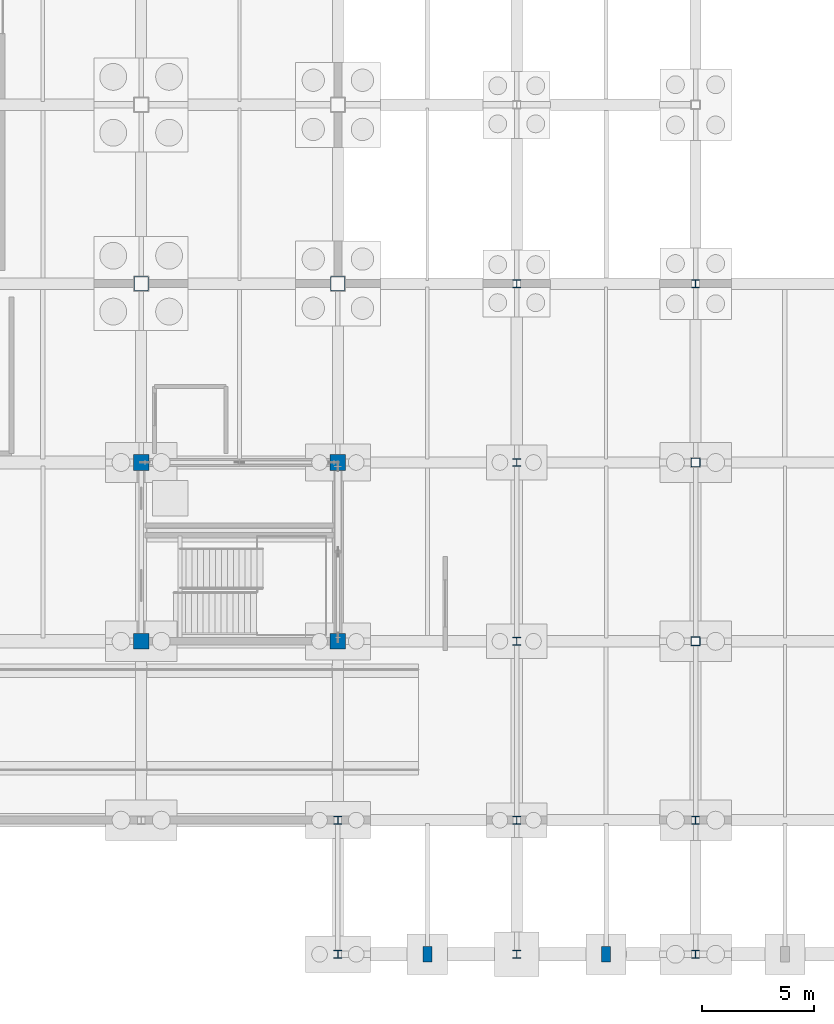
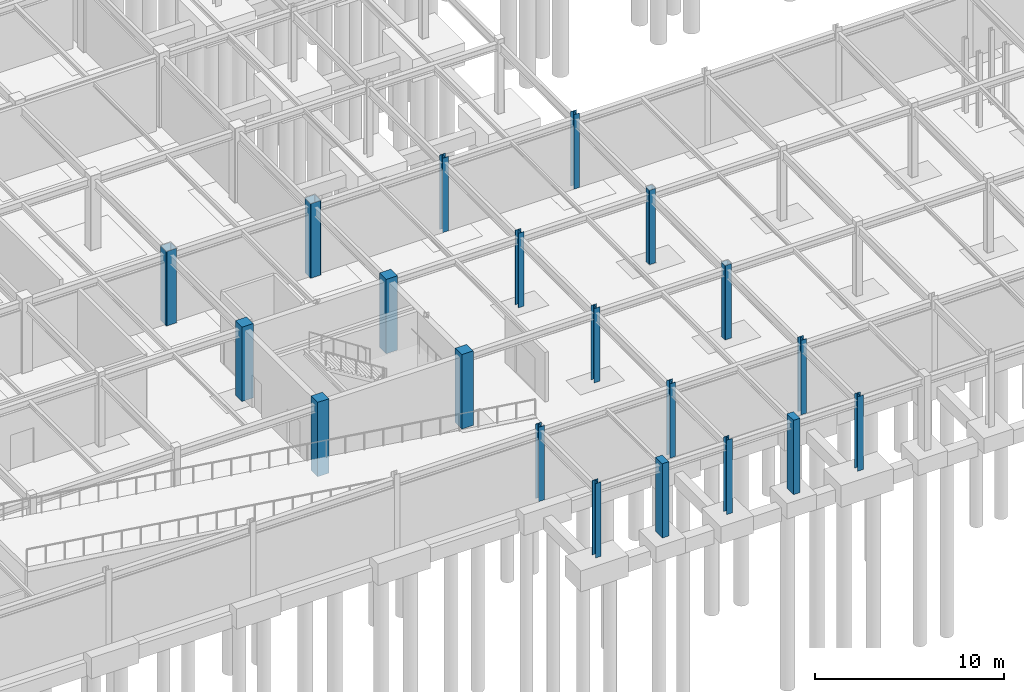
# One storey, part 13 of 72: 20 columns.
"""IFC4 building model written with IfcOpenShell, lengths in metres."""

from ifc_helpers import new_model, si_unit, direction, frame, origin, origin_2d, place, context, subcontext, project, spatial, rectangle, hollow_rectangle, i_section, extrude, material, material_profile, profile_set, type_object, element, save


model = new_model("IFC4")

# Units and contexts
model_context = context("Model", 3, precision=1e-05, world=origin(), true_north=direction((0.0, 1.0)))
body_context = subcontext(model_context, "Body", "Model", "MODEL_VIEW")
ifc_project = project(units=[si_unit("LENGTHUNIT", "METRE"), si_unit("AREAUNIT", "SQUARE_METRE"), si_unit("VOLUMEUNIT", "CUBIC_METRE"), si_unit("PLANEANGLEUNIT", "RADIAN"), si_unit("MASSUNIT", "GRAM", prefix="KILO")], contexts=[model_context])

# Site, building, storey
site_placement = place(None, origin())
site = spatial("IfcSite", under=ifc_project, at=site_placement, CompositionType="ELEMENT")
building_placement = place(site_placement, origin())
building = spatial("IfcBuilding", under=site, at=building_placement, Name="Zhaolan Boulevard Law Courts", CompositionType="ELEMENT")
storey_placement = place(building_placement, frame((0.0, 0.0, -4.800048828125)))
storey = spatial("IfcBuildingStorey", under=building, at=storey_placement, Name="B1", CompositionType="ELEMENT", Elevation=-4.800048828125)

# Columns
ifc_material_1 = material(Name="Structural steel Q355B", Category="steel")
ifc_material_profile_1 = material_profile(ifc_material_1, hollow_rectangle(XDim=0.39990234375, YDim=0.39990234375, WallThickness=0.01611328125, InnerFilletRadius=0.01611328125, OuterFilletRadius=0.031982421875, at=origin_2d()), Name="BOX400x400x16")
ifc_profile_set_1 = profile_set([ifc_material_profile_1], Name="Structural steel Q355B")
column_type_1 = type_object("IfcColumnType", Name="COL BOX400", PredefinedType="COLUMN", material=ifc_profile_set_1)
for number, where, z_axis, x_axis, name in (
    (1, (60.0, 14.0, 0.0), (0.0, 0.0, 1.0), (1.0, 0.0, 0.0), "Column C-8C (B1)"),
    (2, (60.0, 22.0, 0.0), (0.0, 0.0, 1.0), (1.0, 0.0, 0.0), "Column C-8D (B1)"),
):
    element("IfcColumn", number, at=place(storey_placement, frame(where, z_axis=z_axis, x_axis=x_axis)), inside=storey, type_object=column_type_1, Name=name, PredefinedType="COLUMN", context=body_context, shape_type="SweptSolid", body=[
        extrude(hollow_rectangle(XDim=0.39990234375, YDim=0.39990234375, WallThickness=0.01611328125, InnerFilletRadius=0.01611328125, OuterFilletRadius=0.031982421875, at=origin_2d()), origin(), (0.0, 0.0, 1.0), 4.800048828125),
    ])
ifc_material_2 = material(Name="Structural steel Q390B", Category="steel")
ifc_material_profile_2 = material_profile(ifc_material_2, hollow_rectangle(XDim=0.64990234375, YDim=0.64990234375, WallThickness=0.02587890625, InnerFilletRadius=0.02587890625, OuterFilletRadius=0.052001953125, at=origin_2d()), Name="BOX650x650x26")
ifc_profile_set_2 = profile_set([ifc_material_profile_2], Name="Structural steel Q390B")
column_type_2 = type_object("IfcColumnType", Name="COL BOX650", PredefinedType="COLUMN", material=ifc_profile_set_2)
for number, where, z_axis, x_axis, name in (
    (3, (35.199951171875, 30.0, 0.0), (0.0, 0.0, 1.0), (1.0, 0.0, 0.0), "Column C-5E (B1)"),
    (4, (44.0, 30.0, 0.0), (0.0, 0.0, 1.0), (1.0, 0.0, 0.0), "Column C-6E (B1)"),
):
    element("IfcColumn", number, at=place(storey_placement, frame(where, z_axis=z_axis, x_axis=x_axis)), inside=storey, type_object=column_type_2, Name=name, PredefinedType="COLUMN", context=body_context, shape_type="SweptSolid", body=[
        extrude(hollow_rectangle(XDim=0.64990234375, YDim=0.64990234375, WallThickness=0.02587890625, InnerFilletRadius=0.02587890625, OuterFilletRadius=0.052001953125, at=origin_2d()), origin(), (0.0, 0.0, 1.0), 4.800048828125),
    ])
ifc_material_3 = material(Name="Structural steel Q355B", Category="steel")
ifc_material_profile_3 = material_profile(ifc_material_3, i_section(OverallWidth=0.35009765625, OverallDepth=0.35009765625, WebThickness=0.011962890625, FlangeThickness=0.01904296875, FilletRadius=0.02001953125, at=origin_2d()), Name="HW350x350")
ifc_profile_set_3 = profile_set([ifc_material_profile_3], Name="Structural steel Q355B")
column_type_3 = type_object("IfcColumnType", Name="COL HW350", PredefinedType="COLUMN", material=ifc_profile_set_3)
for number, where, z_axis, x_axis, name in (
    (5, (44.0, 0.0, 0.0), (0.0, 0.0, 1.0), (1.0, 0.0, 0.0), "Column C-6A (B1)"),
    (6, (44.0, 6.0, 0.0), (0.0, 0.0, 1.0), (1.0, 0.0, 0.0), "Column C-6B (B1)"),
    (7, (52.0, 0.0, 0.0), (0.0, 0.0, 1.0), (1.0, 0.0, 0.0), "Column C-7A (B1)"),
    (8, (52.0, 6.0, 0.0), (0.0, 0.0, 1.0), (1.0, 0.0, 0.0), "Column C-7B (B1)"),
    (9, (52.0, 14.0, 0.0), (0.0, 0.0, 1.0), (1.0, 0.0, 0.0), "Column C-7C (B1)"),
    (10, (52.0, 22.0, 0.0), (0.0, 0.0, 1.0), (1.0, 0.0, 0.0), "Column C-7D (B1)"),
    (11, (52.0, 30.0, 0.0), (0.0, 0.0, 1.0), (1.0, 0.0, 0.0), "Column C-7E (B1)"),
    (12, (60.0, 0.0, 0.0), (0.0, 0.0, 1.0), (1.0, 0.0, 0.0), "Column C-8A (B1)"),
    (13, (60.0, 6.0, 0.0), (0.0, 0.0, 1.0), (1.0, 0.0, 0.0), "Column C-8B (B1)"),
    (14, (60.0, 30.0, 0.0), (0.0, 0.0, 1.0), (1.0, 0.0, 0.0), "Column C-8E (B1)"),
):
    element("IfcColumn", number, at=place(storey_placement, frame(where, z_axis=z_axis, x_axis=x_axis)), inside=storey, type_object=column_type_3, Name=name, PredefinedType="COLUMN", context=body_context, shape_type="SweptSolid", body=[
        extrude(i_section(OverallWidth=0.35009765625, OverallDepth=0.35009765625, WebThickness=0.011962890625, FlangeThickness=0.01904296875, FilletRadius=0.02001953125, at=origin_2d()), origin(), (0.0, 0.0, 1.0), 4.800048828125),
    ])
ifc_material_4 = material(Name="Concrete C50", Category="concrete")
ifc_material_profile_4 = material_profile(ifc_material_4, rectangle(XDim=0.699951171875, YDim=0.699951171875, at=origin_2d()), Name="RC700x700")
ifc_profile_set_4 = profile_set([ifc_material_profile_4], Name="Concrete C50")
column_type_4 = type_object("IfcColumnType", Name="COL RC700", PredefinedType="COLUMN", material=ifc_profile_set_4)
for number, where, z_axis, x_axis, name in (
    (15, (35.199951171875, 14.0, 0.0), (0.0, 0.0, 1.0), (1.0, 0.0, 0.0), "Column C-5C (B1)"),
    (16, (35.199951171875, 22.0, 0.0), (0.0, 0.0, 1.0), (1.0, 0.0, 0.0), "Column C-5D (B1)"),
    (17, (44.0, 14.0, 0.0), (0.0, 0.0, 1.0), (1.0, 0.0, 0.0), "Column C-6C (B1)"),
    (18, (44.0, 22.0, 0.0), (0.0, 0.0, 1.0), (1.0, 0.0, 0.0), "Column C-6D (B1)"),
):
    element("IfcColumn", number, at=place(storey_placement, frame(where, z_axis=z_axis, x_axis=x_axis)), inside=storey, type_object=column_type_4, Name=name, PredefinedType="COLUMN", context=body_context, shape_type="SweptSolid", body=[
        extrude(rectangle(XDim=0.699951171875, YDim=0.699951171875, at=origin_2d()), origin(), (0.0, 0.0, 1.0), 4.800048828125),
    ])
ifc_material_5 = material(Name="Concrete C40", Category="concrete")
ifc_material_profile_5 = material_profile(ifc_material_5, rectangle(XDim=0.39990234375, YDim=0.699951171875, at=origin_2d()), Name="RC400x700")
ifc_profile_set_5 = profile_set([ifc_material_profile_5], Name="Concrete C40")
column_type_5 = type_object("IfcColumnType", Name="PILASTER 400X700", PredefinedType="PILASTER", material=ifc_profile_set_5)
for number, where, z_axis, x_axis, name in (
    (19, (48.0, 0.0, 0.0), (0.0, 0.0, 1.0), (1.0, 0.0, 0.0), "Facade Pilaster PIL-01 (B1)"),
    (20, (56.0, 0.0, 0.0), (0.0, 0.0, 1.0), (1.0, 0.0, 0.0), "Facade Pilaster PIL-02 (B1)"),
):
    element("IfcColumn", number, at=place(storey_placement, frame(where, z_axis=z_axis, x_axis=x_axis)), inside=storey, type_object=column_type_5, Name=name, PredefinedType="PILASTER", context=body_context, shape_type="SweptSolid", body=[
        extrude(rectangle(XDim=0.39990234375, YDim=0.699951171875, at=origin_2d()), origin(), (0.0, 0.0, 1.0), 4.800048828125),
    ])

save(model, "model.ifc")
